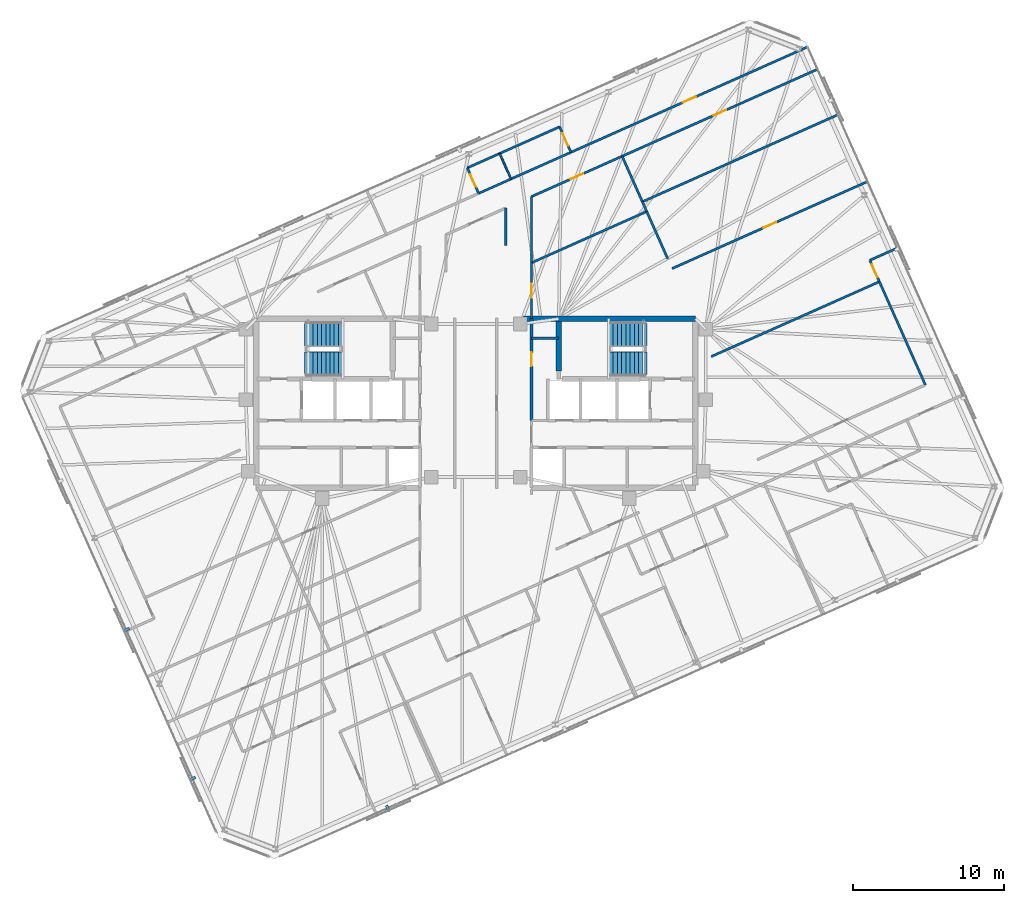
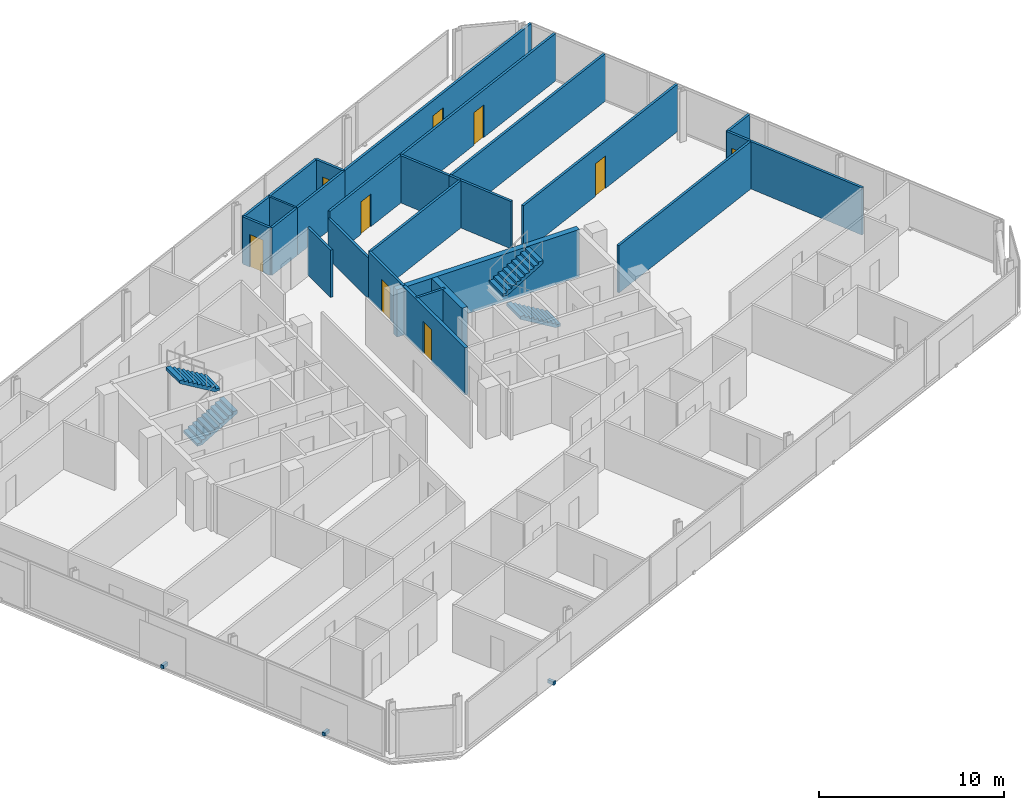
# One storey, part 17 of 19: 27 walls, 9 doors, 4 stair flights, 3 discrete accessories, 9 openings, 2 elements without a shape of their own.
"""IFC4 building model written with IfcOpenShell, lengths in metres."""

from ifc_helpers import new_model, si_unit, direction, frame, frame_2d, origin, origin_2d, place, context, subcontext, project, spatial, polyline, rectangle, outline, extrude, material, layer, layer_set, type_object, element, fill, aggregate, save


model = new_model("IFC4")

# Units and contexts
model_context = context("Model", 3, precision=1e-05, world=origin(), true_north=direction((0.0, 1.0)))
body_context = subcontext(model_context, "Body", "Model", "MODEL_VIEW")
ifc_project = project(units=[si_unit("LENGTHUNIT", "METRE"), si_unit("AREAUNIT", "SQUARE_METRE"), si_unit("VOLUMEUNIT", "CUBIC_METRE"), si_unit("PLANEANGLEUNIT", "RADIAN"), si_unit("MASSUNIT", "GRAM", prefix="KILO")], contexts=[model_context])

# Site, building, storey
site_placement = place(None, origin())
site = spatial("IfcSite", under=ifc_project, at=site_placement, CompositionType="ELEMENT")
building_placement = place(site_placement, origin())
building = spatial("IfcBuilding", under=site, at=building_placement, Name="Menara Jurai Vektor", CompositionType="ELEMENT")
storey_placement = place(building_placement, frame((0.0, 0.0, 295.300048828125)))
storey = spatial("IfcBuildingStorey", under=building, at=storey_placement, Name="L79", CompositionType="ELEMENT", Elevation=295.300048828125)

# Wall
ifc_material_1 = material(Name="Gypsum Fireboard Partition", Category="gypsum")
ifc_layer_1 = layer(ifc_material_1, 0.14990234375)
ifc_layer_set_1 = layer_set([ifc_layer_1], Name="Gypsum Fireboard Partition")
wall_type_1 = type_object("IfcWallType", Name="INT-WALL-CORR-150", PredefinedType="PARTITIONING", material=ifc_layer_set_1)
wall_1_placement = place(storey_placement, frame((3.699951171875, 4.300048828125, 0.0), z_axis=(0.0, 0.0, 1.0), x_axis=(1.0, 0.0, 0.0)))
element("IfcWall", 1, at=wall_1_placement, inside=storey, type_object=wall_type_1, Name="Interior Wall IW-150 L79", PredefinedType="PARTITIONING", context=body_context, shape_type="SweptSolid", body=[
    extrude(rectangle(XDim=1.800048828125, YDim=0.14990234375, at=frame_2d((0.89990234375, 0.0))), origin(), (0.0, 0.0, 1.0), 3.125),
])

# Wall, opening, door
wall_2_placement = place(storey_placement, frame((6.3095703125, 16.63818359375, 0.0), z_axis=(0.0, 0.0, 1.0), x_axis=(0.913550659227, 0.406724959925, 0.0)))
wall_2 = element("IfcWall", 2, at=wall_2_placement, inside=storey, type_object=wall_type_1, Name="Interior Wall IW-150 L79", PredefinedType="PARTITIONING", context=body_context, shape_type="SweptSolid", body=[
    extrude(rectangle(XDim=17.184814453125, YDim=0.14990234375, at=frame_2d((8.59228515625, 0.0))), origin(), (0.0, 0.0, 1.0), 3.125),
])
opening_1_placement = place(wall_2_placement, frame((8.117431640625, 0.0, 0.0)))
opening_1 = element("IfcOpeningElement", 3, at=opening_1_placement, cuts=wall_2, Name="Opening D79-12", PredefinedType="OPENING", context=body_context, shape_type="SweptSolid", body=[
    extrude(rectangle(XDim=0.949951171875, YDim=2.14990234375, at=frame_2d((0.47509765625, 1.074951171875))), frame((0.0, 0.0849609375, 0.0), z_axis=(0.0, -1.0, 0.0), x_axis=(1.0, 0.0, 0.0)), (0.0, 0.0, 1.0), 0.169921875),
])
ifc_material_2 = material(Name="Solid Core Timber Fire Door", Category="wood")
door_type_1 = type_object("IfcDoorType", Name="DR-ENTRY-950", OperationType="NOTDEFINED", PredefinedType="DOOR", material=ifc_material_2)
door_1_placement = place(opening_1_placement, origin())
door_1 = element("IfcDoor", 4, at=door_1_placement, inside=storey, type_object=door_type_1, Name="Interior Door D79-12", OperationType="SINGLE_SWING_LEFT", OverallHeight=2.14990234375, OverallWidth=0.949951171875, PredefinedType="DOOR", context=body_context, shape_type="SweptSolid", body=[
    extrude(rectangle(XDim=0.949951171875, YDim=2.14990234375, at=frame_2d((0.47509765625, 1.074951171875))), frame((0.0, 0.02490234375, 0.0), z_axis=(0.0, -1.0, 0.0), x_axis=(1.0, 0.0, 0.0)), (0.0, 0.0, 1.0), 0.050048828125),
])
fill(opening_1, door_1)

# Walls
wall_3_placement = place(storey_placement, frame((0.188720703125, 13.912841796875, 0.0), z_axis=(0.0, 0.0, 1.0), x_axis=(0.913520021435, 0.406793768926, 0.0)))
element("IfcWall", 5, at=wall_3_placement, inside=storey, type_object=wall_type_1, Name="Interior Wall IW-150 L79", PredefinedType="PARTITIONING", context=body_context, shape_type="SweptSolid", body=[
    extrude(rectangle(XDim=2.35009765625, YDim=0.14990234375, at=frame_2d((1.175048828125, 0.0))), origin(), (0.0, 0.0, 1.0), 3.125),
])
wall_4_placement = place(storey_placement, frame((2.335693359375, 14.868896484375, 0.0), z_axis=(0.0, 0.0, 1.0), x_axis=(0.913545193015, 0.406737237438, 0.0)))
element("IfcWall", 6, at=wall_4_placement, inside=storey, type_object=wall_type_1, Name="Interior Wall IW-150 L79", PredefinedType="PARTITIONING", context=body_context, shape_type="SweptSolid", body=[
    extrude(rectangle(XDim=4.349853515625, YDim=0.14990234375, at=frame_2d((2.1748046875, 0.0))), origin(), (0.0, 0.0, 1.0), 3.125),
])

# Wall, opening, door
wall_5_placement = place(storey_placement, frame((3.7001953125, 5.6005859375, 0.0), z_axis=(0.0, 0.0, 1.0), x_axis=(0.0, 1.0, 0.0)))
wall_5 = element("IfcWall", 7, at=wall_5_placement, inside=storey, type_object=wall_type_1, Name="Interior Wall IW-150 L79", PredefinedType="PARTITIONING", context=body_context, shape_type="SweptSolid", body=[
    extrude(rectangle(XDim=3.712890625, YDim=0.14990234375, at=frame_2d((1.8564453125, 0.0))), origin(), (0.0, 0.0, 1.0), 3.125),
])
opening_2_placement = place(wall_5_placement, frame((1.396484375, 0.0, 0.0)))
opening_2 = element("IfcOpeningElement", 8, at=opening_2_placement, cuts=wall_5, Name="Opening D79-41", PredefinedType="OPENING", context=body_context, shape_type="SweptSolid", body=[
    extrude(rectangle(XDim=0.919921875, YDim=2.14990234375, at=frame_2d((0.4599609375, 1.074951171875))), frame((0.0, 0.0849609375, 0.0), z_axis=(0.0, -1.0, 0.0), x_axis=(1.0, 0.0, 0.0)), (0.0, 0.0, 1.0), 0.169921875),
])
door_2_placement = place(opening_2_placement, origin())
door_2 = element("IfcDoor", 9, at=door_2_placement, inside=storey, type_object=door_type_1, Name="Interior Door D79-41", OperationType="SINGLE_SWING_RIGHT", OverallHeight=2.14990234375, OverallWidth=0.919921875, PredefinedType="DOOR", context=body_context, shape_type="SweptSolid", body=[
    extrude(rectangle(XDim=0.919921875, YDim=2.14990234375, at=frame_2d((0.4599609375, 1.074951171875))), frame((0.0, 0.02490234375, 0.0), z_axis=(0.0, -1.0, 0.0), x_axis=(1.0, 0.0, 0.0)), (0.0, 0.0, 1.0), 0.050048828125),
])
fill(opening_2, door_2)

wall_6_placement = place(storey_placement, frame((3.69970703125, 13.702880859375, 0.0), z_axis=(0.0, 0.0, 1.0), x_axis=(0.913549363376, 0.406727870542, 0.0)))
wall_6 = element("IfcWall", 10, at=wall_6_placement, inside=storey, type_object=wall_type_1, Name="Interior Wall IW-150 L79", PredefinedType="PARTITIONING", context=body_context, shape_type="SweptSolid", body=[
    extrude(rectangle(XDim=6.571044921875, YDim=0.14990234375, at=frame_2d((3.28564453125, 0.0))), origin(), (0.0, 0.0, 1.0), 3.125),
])
opening_3_placement = place(wall_6_placement, frame((2.825439453125, 0.0, 0.0)))
opening_3 = element("IfcOpeningElement", 11, at=opening_3_placement, cuts=wall_6, Name="Opening D79-42", PredefinedType="OPENING", context=body_context, shape_type="SweptSolid", body=[
    extrude(rectangle(XDim=0.919921875, YDim=2.14990234375, at=frame_2d((0.4599609375, 1.074951171875))), frame((0.0, 0.0849609375, 0.0), z_axis=(0.0, -1.0, 0.0), x_axis=(1.0, 0.0, 0.0)), (0.0, 0.0, 1.0), 0.169921875),
])
door_3_placement = place(opening_3_placement, origin())
door_3 = element("IfcDoor", 12, at=door_3_placement, inside=storey, type_object=door_type_1, Name="Interior Door D79-42", OperationType="SINGLE_SWING_LEFT", OverallHeight=2.14990234375, OverallWidth=0.919921875, PredefinedType="DOOR", context=body_context, shape_type="SweptSolid", body=[
    extrude(rectangle(XDim=0.919921875, YDim=2.14990234375, at=frame_2d((0.4599609375, 1.074951171875))), frame((0.0, 0.02490234375, 0.0), z_axis=(0.0, -1.0, 0.0), x_axis=(1.0, 0.0, 0.0)), (0.0, 0.0, 1.0), 0.050048828125),
])
fill(opening_3, door_3)

# Walls
wall_7_placement = place(storey_placement, frame((1.97998046875, 10.4599609375, 0.0), z_axis=(0.0, 0.0, 1.0), x_axis=(0.000197102588, 0.999999980575, 0.0)))
element("IfcWall", 13, at=wall_7_placement, inside=storey, type_object=wall_type_1, Name="Interior Wall IW-150 L79", PredefinedType="PARTITIONING", context=body_context, shape_type="SweptSolid", body=[
    extrude(rectangle(XDim=2.477294921875, YDim=0.14990234375, at=frame_2d((1.23876953125, 0.0))), origin(), (0.0, 0.0, 1.0), 3.125),
])
wall_8_placement = place(storey_placement, frame((29.808837890625, 1.2158203125, 0.0), z_axis=(0.0, 0.0, 1.0), x_axis=(-0.406719136744, 0.913553251763, 0.0)))
element("IfcWall", 14, at=wall_8_placement, inside=storey, type_object=wall_type_1, Name="Interior Wall IW-150 L79", PredefinedType="PARTITIONING", context=body_context, shape_type="SweptSolid", body=[
    extrude(rectangle(XDim=7.489013671875, YDim=0.14990234375, at=frame_2d((3.74462890625, 0.0))), origin(), (0.0, 0.0, 1.0), 3.125),
])

# Wall, opening, door
wall_9_placement = place(storey_placement, frame((26.762939453125, 8.057373046875, 0.0), z_axis=(0.0, 0.0, 1.0), x_axis=(-0.406851688687, 0.913494227356, 0.0)))
wall_9 = element("IfcWall", 15, at=wall_9_placement, inside=storey, type_object=wall_type_1, Name="Interior Wall IW-150 L79", PredefinedType="PARTITIONING", context=body_context, shape_type="SweptSolid", body=[
    extrude(rectangle(XDim=1.555908203125, YDim=0.14990234375, at=frame_2d((0.77783203125, 0.0))), origin(), (0.0, 0.0, 1.0), 3.125),
])
opening_4_placement = place(wall_9_placement, frame((0.318115234375, 0.0, 0.0)))
opening_4 = element("IfcOpeningElement", 16, at=opening_4_placement, cuts=wall_9, Name="Opening D79-48", PredefinedType="OPENING", context=body_context, shape_type="SweptSolid", body=[
    extrude(rectangle(XDim=0.919921875, YDim=2.14990234375, at=frame_2d((0.4599609375, 1.074951171875))), frame((0.0, 0.0849609375, 0.0), z_axis=(0.0, -1.0, 0.0), x_axis=(1.0, 0.0, 0.0)), (0.0, 0.0, 1.0), 0.169921875),
])
door_4_placement = place(opening_4_placement, origin())
door_4 = element("IfcDoor", 17, at=door_4_placement, inside=storey, type_object=door_type_1, Name="Interior Door D79-48", OperationType="SINGLE_SWING_LEFT", OverallHeight=2.14990234375, OverallWidth=0.919921875, PredefinedType="DOOR", context=body_context, shape_type="SweptSolid", body=[
    extrude(rectangle(XDim=0.919921875, YDim=2.14990234375, at=frame_2d((0.4599609375, 1.074951171875))), frame((0.0, 0.02490234375, 0.0), z_axis=(0.0, -1.0, 0.0), x_axis=(1.0, 0.0, 0.0)), (0.0, 0.0, 1.0), 0.050048828125),
])
fill(opening_4, door_4)

# Wall
wall_10_placement = place(storey_placement, frame((26.1298828125, 9.478759765625, 0.0), z_axis=(0.0, 0.0, 1.0), x_axis=(0.913573626813, 0.406673368186, 0.0)))
element("IfcWall", 18, at=wall_10_placement, inside=storey, type_object=wall_type_1, Name="Interior Wall IW-150 L79", PredefinedType="PARTITIONING", context=body_context, shape_type="SweptSolid", body=[
    extrude(rectangle(XDim=1.990234375, YDim=0.14990234375, at=frame_2d((0.9951171875, 0.0))), origin(), (0.0, 0.0, 1.0), 3.125),
])

# Wall, opening, door
wall_11_placement = place(storey_placement, frame((9.70263671875, 16.37548828125, 0.0), z_axis=(0.0, 0.0, 1.0), x_axis=(0.913544622417, 0.406738519018, 0.0)))
wall_11 = element("IfcWall", 19, at=wall_11_placement, inside=storey, type_object=wall_type_1, Name="Interior Wall IW-150 L79", PredefinedType="PARTITIONING", context=body_context, shape_type="SweptSolid", body=[
    extrude(rectangle(XDim=14.192138671875, YDim=0.14990234375, at=frame_2d((7.09619140625, 0.0))), origin(), (0.0, 0.0, 1.0), 3.125),
])
opening_5_placement = place(wall_11_placement, frame((6.635986328125, 0.0, 0.0)))
opening_5 = element("IfcOpeningElement", 20, at=opening_5_placement, cuts=wall_11, Name="Opening D79-50", PredefinedType="OPENING", context=body_context, shape_type="SweptSolid", body=[
    extrude(rectangle(XDim=0.919921875, YDim=2.14990234375, at=frame_2d((0.4599609375, 1.074951171875))), frame((0.0, 0.0849609375, 0.0), z_axis=(0.0, -1.0, 0.0), x_axis=(1.0, 0.0, 0.0)), (0.0, 0.0, 1.0), 0.169921875),
])
door_5_placement = place(opening_5_placement, origin())
door_5 = element("IfcDoor", 21, at=door_5_placement, inside=storey, type_object=door_type_1, Name="Interior Door D79-50", OperationType="SINGLE_SWING_LEFT", OverallHeight=2.14990234375, OverallWidth=0.919921875, PredefinedType="DOOR", context=body_context, shape_type="SweptSolid", body=[
    extrude(rectangle(XDim=0.919921875, YDim=2.14990234375, at=frame_2d((0.4599609375, 1.074951171875))), frame((0.0, 0.02490234375, 0.0), z_axis=(0.0, -1.0, 0.0), x_axis=(1.0, 0.0, 0.0)), (0.0, 0.0, 1.0), 0.050048828125),
])
fill(opening_5, door_5)

wall_12_placement = place(storey_placement, frame((0.188720703125, 13.912841796875, 0.0), z_axis=(0.0, 0.0, 1.0), x_axis=(-0.406701600856, 0.913561058639, 0.0)))
wall_12 = element("IfcWall", 22, at=wall_12_placement, inside=storey, type_object=wall_type_1, Name="Interior Wall IW-150 L79", PredefinedType="PARTITIONING", context=body_context, shape_type="SweptSolid", body=[
    extrude(rectangle(XDim=1.85009765625, YDim=0.14990234375, at=frame_2d((0.925048828125, 0.0))), origin(), (0.0, 0.0, 1.0), 3.125),
])
opening_6_placement = place(wall_12_placement, frame((0.485107421875, 0.0, 0.0)))
opening_6 = element("IfcOpeningElement", 23, at=opening_6_placement, cuts=wall_12, Name="Opening D79-13", PredefinedType="OPENING", context=body_context, shape_type="SweptSolid", body=[
    extrude(rectangle(XDim=0.8798828125, YDim=2.14990234375, at=frame_2d((0.43994140625, 1.074951171875))), frame((0.0, 0.0849609375, 0.0), z_axis=(0.0, -1.0, 0.0), x_axis=(1.0, 0.0, 0.0)), (0.0, 0.0, 1.0), 0.169921875),
])
ifc_material_3 = material(Name="Moisture-Resistant Timber Door", Category="wood")
door_type_2 = type_object("IfcDoorType", Name="DR-BATH-880", OperationType="NOTDEFINED", PredefinedType="DOOR", material=ifc_material_3)
door_6_placement = place(opening_6_placement, origin())
door_6 = element("IfcDoor", 24, at=door_6_placement, inside=storey, type_object=door_type_2, Name="Interior Door D79-13", OperationType="SINGLE_SWING_RIGHT", OverallHeight=2.14990234375, OverallWidth=0.8798828125, PredefinedType="DOOR", context=body_context, shape_type="SweptSolid", body=[
    extrude(rectangle(XDim=0.8798828125, YDim=2.14990234375, at=frame_2d((0.43994140625, 1.074951171875))), frame((0.0, 0.02490234375, 0.0), z_axis=(0.0, -1.0, 0.0), x_axis=(1.0, 0.0, 0.0)), (0.0, 0.0, 1.0), 0.050048828125),
])
fill(opening_6, door_6)

# Walls
wall_13_placement = place(storey_placement, frame((-0.563720703125, 15.60302734375, 0.0), z_axis=(0.0, 0.0, 1.0), x_axis=(0.913541436194, 0.406745675276, 0.0)))
element("IfcWall", 25, at=wall_13_placement, inside=storey, type_object=wall_type_1, Name="Interior Wall IW-150 L79", PredefinedType="PARTITIONING", context=body_context, shape_type="SweptSolid", body=[
    extrude(rectangle(XDim=2.349853515625, YDim=0.14990234375, at=frame_2d((1.1748046875, 0.0))), origin(), (0.0, 0.0, 1.0), 3.125),
])
wall_14_placement = place(storey_placement, frame((1.5830078125, 16.558837890625, 0.0), z_axis=(0.0, 0.0, 1.0), x_axis=(0.913554477336, 0.406716383908, 0.0)))
element("IfcWall", 26, at=wall_14_placement, inside=storey, type_object=wall_type_1, Name="Interior Wall IW-150 L79", PredefinedType="PARTITIONING", context=body_context, shape_type="SweptSolid", body=[
    extrude(rectangle(XDim=4.35009765625, YDim=0.14990234375, at=frame_2d((2.175048828125, 0.0))), origin(), (0.0, 0.0, 1.0), 3.125),
])

# Wall, opening, door
wall_15_placement = place(storey_placement, frame((6.3095703125, 16.63818359375, 0.0), z_axis=(0.0, 0.0, 1.0), x_axis=(-0.406750635596, 0.913539227643, 0.0)))
wall_15 = element("IfcWall", 27, at=wall_15_placement, inside=storey, type_object=wall_type_1, Name="Interior Wall IW-150 L79", PredefinedType="PARTITIONING", context=body_context, shape_type="SweptSolid", body=[
    extrude(rectangle(XDim=1.849853515625, YDim=0.14990234375, at=frame_2d((0.9248046875, 0.0))), origin(), (0.0, 0.0, 1.0), 3.125),
])
opening_7_placement = place(wall_15_placement, frame((0.47509765625, 0.0, 0.0)))
opening_7 = element("IfcOpeningElement", 28, at=opening_7_placement, cuts=wall_15, Name="Opening D79-14", PredefinedType="OPENING", context=body_context, shape_type="SweptSolid", body=[
    extrude(rectangle(XDim=0.89990234375, YDim=2.14990234375, at=frame_2d((0.449951171875, 1.074951171875))), frame((0.0, 0.0849609375, 0.0), z_axis=(0.0, -1.0, 0.0), x_axis=(1.0, 0.0, 0.0)), (0.0, 0.0, 1.0), 0.169921875),
])
ifc_material_4 = material(Name="Acoustic Timber Interior Door", Category="wood")
door_type_3 = type_object("IfcDoorType", Name="DR-ROOM-900", OperationType="NOTDEFINED", PredefinedType="DOOR", material=ifc_material_4)
door_7_placement = place(opening_7_placement, origin())
door_7 = element("IfcDoor", 29, at=door_7_placement, inside=storey, type_object=door_type_3, Name="Interior Door D79-14", OperationType="SINGLE_SWING_LEFT", OverallHeight=2.14990234375, OverallWidth=0.89990234375, PredefinedType="DOOR", context=body_context, shape_type="SweptSolid", body=[
    extrude(rectangle(XDim=0.89990234375, YDim=2.14990234375, at=frame_2d((0.449951171875, 1.074951171875))), frame((0.0, 0.02490234375, 0.0), z_axis=(0.0, -1.0, 0.0), x_axis=(1.0, 0.0, 0.0)), (0.0, 0.0, 1.0), 0.050048828125),
])
fill(opening_7, door_7)

# Walls
wall_16_placement = place(storey_placement, frame((3.7001953125, 9.3134765625, 0.0), z_axis=(0.0, 0.0, 1.0), x_axis=(0.913545080962, 0.406737489112, 0.0)))
element("IfcWall", 30, at=wall_16_placement, inside=storey, type_object=wall_type_1, Name="Interior Wall IW-150 L79", PredefinedType="PARTITIONING", context=body_context, shape_type="SweptSolid", body=[
    extrude(rectangle(XDim=8.35595703125, YDim=0.14990234375, at=frame_2d((4.177978515625, 0.0))), origin(), (0.0, 0.0, 1.0), 3.125),
])
wall_17_placement = place(storey_placement, frame((12.72509765625, 9.5869140625, 0.0), z_axis=(0.0, 0.0, 1.0), x_axis=(-0.406714462948, 0.913555332549, 0.0)))
element("IfcWall", 31, at=wall_17_placement, inside=storey, type_object=wall_type_1, Name="Interior Wall IW-150 L79", PredefinedType="PARTITIONING", context=body_context, shape_type="SweptSolid", body=[
    extrude(rectangle(XDim=3.4208984375, YDim=0.14990234375, at=frame_2d((1.71044921875, 0.0))), origin(), (0.0, 0.0, 1.0), 3.125),
])
wall_18_placement = place(storey_placement, frame((11.333740234375, 12.712158203125, 0.0), z_axis=(0.0, 0.0, 1.0), x_axis=(-0.40694029237, 0.913454759934, 0.0)))
element("IfcWall", 32, at=wall_18_placement, inside=storey, type_object=wall_type_1, Name="Interior Wall IW-150 L79", PredefinedType="PARTITIONING", context=body_context, shape_type="SweptSolid", body=[
    extrude(rectangle(XDim=0.7060546875, YDim=0.14990234375, at=frame_2d((0.35302734375, 0.0))), origin(), (0.0, 0.0, 1.0), 3.125),
])
wall_19_placement = place(storey_placement, frame((11.04638671875, 13.357177734375, 0.0), z_axis=(0.0, 0.0, 1.0), x_axis=(-0.406714303965, 0.913555403328, 0.0)))
element("IfcWall", 33, at=wall_19_placement, inside=storey, type_object=wall_type_1, Name="Interior Wall IW-150 L79", PredefinedType="PARTITIONING", context=body_context, shape_type="SweptSolid", body=[
    extrude(rectangle(XDim=3.303955078125, YDim=0.14990234375, at=frame_2d((1.65185546875, 0.0))), origin(), (0.0, 0.0, 1.0), 3.125),
])
wall_20_placement = place(storey_placement, frame((15.61572265625, 3.094482421875, 0.0), z_axis=(0.0, 0.0, 1.0), x_axis=(0.913550635989, 0.40672501212, 0.0)))
element("IfcWall", 34, at=wall_20_placement, inside=storey, type_object=wall_type_1, Name="Interior Wall IW-150 L79", PredefinedType="PARTITIONING", context=body_context, shape_type="SweptSolid", body=[
    extrude(rectangle(XDim=12.2021484375, YDim=0.14990234375, at=frame_2d((6.10107421875, 0.0))), origin(), (0.0, 0.0, 1.0), 3.125),
])

# Wall, opening, door
wall_21_placement = place(storey_placement, frame((13.017578125, 8.93017578125, 0.0), z_axis=(0.0, 0.0, 1.0), x_axis=(0.913551014388, 0.406724162191, 0.0)))
wall_21 = element("IfcWall", 35, at=wall_21_placement, inside=storey, type_object=wall_type_1, Name="Interior Wall IW-150 L79", PredefinedType="PARTITIONING", context=body_context, shape_type="SweptSolid", body=[
    extrude(rectangle(XDim=14.19189453125, YDim=0.14990234375, at=frame_2d((7.095947265625, 0.0))), origin(), (0.0, 0.0, 1.0), 3.125),
])
opening_8_placement = place(wall_21_placement, frame((6.635986328125, 0.0, 0.0)))
opening_8 = element("IfcOpeningElement", 36, at=opening_8_placement, cuts=wall_21, Name="Opening D79-49", PredefinedType="OPENING", context=body_context, shape_type="SweptSolid", body=[
    extrude(rectangle(XDim=0.919921875, YDim=2.14990234375, at=frame_2d((0.4599609375, 1.074951171875))), frame((0.0, 0.0849609375, 0.0), z_axis=(0.0, -1.0, 0.0), x_axis=(1.0, 0.0, 0.0)), (0.0, 0.0, 1.0), 0.169921875),
])
door_8_placement = place(opening_8_placement, origin())
door_8 = element("IfcDoor", 37, at=door_8_placement, inside=storey, type_object=door_type_1, Name="Interior Door D79-49", OperationType="SINGLE_SWING_RIGHT", OverallHeight=2.14990234375, OverallWidth=0.919921875, PredefinedType="DOOR", context=body_context, shape_type="SweptSolid", body=[
    extrude(rectangle(XDim=0.919921875, YDim=2.14990234375, at=frame_2d((0.4599609375, 1.074951171875))), frame((0.0, 0.02490234375, 0.0), z_axis=(0.0, -1.0, 0.0), x_axis=(1.0, 0.0, 0.0)), (0.0, 0.0, 1.0), 0.050048828125),
])
fill(opening_8, door_8)

# Walls
wall_22_placement = place(storey_placement, frame((11.04638671875, 13.357177734375, 0.0), z_axis=(0.0, 0.0, 1.0), x_axis=(0.913553860075, 0.406717770379, 0.0)))
element("IfcWall", 38, at=wall_22_placement, inside=storey, type_object=wall_type_1, Name="Interior Wall IW-150 L79", PredefinedType="PARTITIONING", context=body_context, shape_type="SweptSolid", body=[
    extrude(rectangle(XDim=14.192138671875, YDim=0.14990234375, at=frame_2d((7.09619140625, 0.0))), origin(), (0.0, 0.0, 1.0), 3.125),
])
ifc_layer_2 = layer(ifc_material_1, 0.14990234375)
ifc_layer_set_2 = layer_set([ifc_layer_2], Name="Gypsum Fireboard Partition")
wall_type_2 = type_object("IfcWallType", Name="INT-WALL-CORR-150-H1", PredefinedType="PARTITIONING", material=ifc_layer_set_2)
wall_23_placement = place(storey_placement, frame((3.7001953125, 9.3134765625, 0.0), z_axis=(0.0, 0.0, 1.0), x_axis=(-0.000111240891, 0.999999993813, 0.0)))
element("IfcWall", 39, at=wall_23_placement, inside=storey, type_object=wall_type_2, Name="Interior Wall IW-150 L79", PredefinedType="PARTITIONING", context=body_context, shape_type="SweptSolid", body=[
    extrude(rectangle(XDim=4.389404296875, YDim=0.14990234375, at=frame_2d((2.19482421875, 0.0))), origin(), (0.0, 0.0, 1.0), 2.675048828125),
])
ifc_material_5 = material(Name="Gypsum Acoustic Stud Partition", Category="gypsum")
ifc_layer_3 = layer(ifc_material_5, 0.1201171875)
ifc_layer_set_3 = layer_set([ifc_layer_3], Name="Gypsum Acoustic Stud Partition")
wall_type_3 = type_object("IfcWallType", Name="INT-WALL-PART-120", PredefinedType="PARTITIONING", material=ifc_layer_set_3)
wall_24_placement = place(storey_placement, frame((2.335693359375, 14.868896484375, 0.0), z_axis=(0.0, 0.0, 1.0), x_axis=(-0.406860767979, 0.913490183571, 0.0)))
element("IfcWall", 40, at=wall_24_placement, inside=storey, type_object=wall_type_3, Name="Interior Wall IW-120 L79", PredefinedType="PARTITIONING", context=body_context, shape_type="SweptSolid", body=[
    extrude(rectangle(XDim=1.85009765625, YDim=0.1201171875, at=frame_2d((0.925048828125, 0.0))), origin(), (0.0, 0.0, 1.0), 3.125),
])

# Wall, opening, door
ifc_material_6 = material(Name="Concrete C40/50", Category="concrete")
ifc_layer_4 = layer(ifc_material_6, 0.199951171875)
ifc_layer_set_4 = layer_set([ifc_layer_4], Name="Concrete C40/50")
wall_type_4 = type_object("IfcWallType", Name="INT-WALL-SHAFT-200", PredefinedType="STANDARD", material=ifc_layer_set_4)
wall_25_placement = place(storey_placement, frame((3.699951171875, -1.14990234375, 0.0), z_axis=(0.0, 0.0, 1.0), x_axis=(0.0, 1.0, 0.0)))
wall_25 = element("IfcWall", 41, at=wall_25_placement, inside=storey, type_object=wall_type_4, Name="Interior Wall IW-200 L79", PredefinedType="STANDARD", context=body_context, shape_type="SweptSolid", body=[
    extrude(rectangle(XDim=6.75, YDim=0.199951171875, at=frame_2d((3.375, 0.0))), origin(), (0.0, 0.0, 1.0), 3.125),
])
opening_9_placement = place(wall_25_placement, frame((3.60009765625, 0.0, 0.0)))
opening_9 = element("IfcOpeningElement", 42, at=opening_9_placement, cuts=wall_25, Name="Opening D79-07", PredefinedType="OPENING", context=body_context, shape_type="SweptSolid", body=[
    extrude(rectangle(XDim=0.919921875, YDim=2.14990234375, at=frame_2d((0.4599609375, 1.074951171875))), frame((0.0, 0.10986328125, 0.0), z_axis=(0.0, -1.0, 0.0), x_axis=(1.0, 0.0, 0.0)), (0.0, 0.0, 1.0), 0.219970703125),
])
door_9_placement = place(opening_9_placement, origin())
door_9 = element("IfcDoor", 43, at=door_9_placement, inside=storey, type_object=door_type_1, Name="Interior Door D79-07", OperationType="SINGLE_SWING_RIGHT", OverallHeight=2.14990234375, OverallWidth=0.919921875, PredefinedType="DOOR", context=body_context, shape_type="SweptSolid", body=[
    extrude(rectangle(XDim=0.919921875, YDim=2.14990234375, at=frame_2d((0.4599609375, 1.074951171875))), frame((0.0, 0.02490234375, 0.0), z_axis=(0.0, -1.0, 0.0), x_axis=(1.0, 0.0, 0.0)), (0.0, 0.0, 1.0), 0.050048828125),
])
fill(opening_9, door_9)

# Walls
ifc_material_7 = material(Name="Concrete C50/60", Category="concrete")
ifc_layer_5 = layer(ifc_material_7, 0.35009765625)
ifc_layer_set_5 = layer_set([ifc_layer_5], Name="Concrete C50/60")
wall_type_5 = type_object("IfcWallType", Name="STR-WALL-CORE350", PredefinedType="SHEAR", material=ifc_layer_set_5)
wall_26_placement = place(storey_placement, frame((3.14990234375, 5.60009765625, 0.0), z_axis=(0.0, 0.0, 1.0), x_axis=(1.0, 0.0, 0.0)))
element("IfcWall", 44, at=wall_26_placement, inside=storey, type_object=wall_type_5, Name="Core Shear Wall CW-E-N L79", PredefinedType="SHEAR", context=body_context, shape_type="SweptSolid", body=[
    extrude(rectangle(XDim=11.41015625, YDim=0.35009765625, at=frame_2d((5.705078125, 0.0))), origin(), (0.0, 0.0, 1.0), 3.125),
])
wall_27_placement = place(storey_placement, frame((5.5, 2.14990234375, 0.0), z_axis=(0.0, 0.0, 1.0), x_axis=(0.0, 1.0, 0.0)))
element("IfcWall", 45, at=wall_27_placement, inside=storey, type_object=wall_type_5, Name="Core Shear Wall CW-E-ST L79", PredefinedType="SHEAR", context=body_context, shape_type="SweptSolid", body=[
    extrude(rectangle(XDim=3.275146484375, YDim=0.35009765625, at=frame_2d((1.6376953125, 0.0))), origin(), (0.0, 0.0, 1.0), 3.125),
])

# Stair, stair flights
stair_type = type_object("IfcStairType", Name="STAIR-DOGLEG-1500", PredefinedType="HALF_TURN_STAIR", material=ifc_material_6)
stair_1_placement = place(storey_placement, origin())
stair_1 = element("IfcStair", 46, at=stair_1_placement, inside=storey, type_object=stair_type, Name="Protected Exit Stair ST1 L79", PredefinedType="HALF_TURN_STAIR")
stair_flight_type = type_object("IfcStairFlightType", Name="STAIR-FLIGHT-1500", PredefinedType="STRAIGHT", material=ifc_material_6)
stair_flight_1_placement = place(storey_placement, frame((-11.35009765625, 2.64990234375, 0.0), z_axis=(0.0, 0.0, 1.0), x_axis=(1.0, 0.0, 0.0)))
stair_flight_1 = element("IfcStairFlight", 47, at=stair_flight_1_placement, type_object=stair_flight_type, Name="ST1 flight 1", NumberOfRisers=10, NumberOfTreads=9, PredefinedType="STRAIGHT", RiserHeight=0.1675, TreadLength=0.28, context=body_context, shape_type="SweptSolid", body=[
    extrude(outline(polyline([(0.0, 0.0), (0.0, 0.16748046875), (0.280029296875, 0.16748046875), (0.280029296875, 0.3349609375), (0.56005859375, 0.3349609375), (0.56005859375, 0.50244140625), (0.840087890625, 0.50244140625), (0.840087890625, 0.669921875), (1.1201171875, 0.669921875), (1.1201171875, 0.83740234375), (1.39990234375, 0.83740234375), (1.39990234375, 1.0048828125), (1.679931640625, 1.0048828125), (1.679931640625, 1.172607421875), (1.9599609375, 1.172607421875), (1.9599609375, 1.340087890625), (2.239990234375, 1.340087890625), (2.239990234375, 1.507568359375), (2.52001953125, 1.507568359375), (2.52001953125, 1.675048828125), (2.52001953125, 1.321044921875), (0.3115234375, 0.0), (0.0, 0.0)])), frame((0.0, 0.75, 0.0), z_axis=(0.0, -1.0, 0.0), x_axis=(1.0, 0.0, 0.0)), (0.0, 0.0, 1.0), 1.5),
])
stair_flight_2_placement = place(storey_placement, frame((-8.830078125, 4.550048828125, 1.675048828125), z_axis=(0.0, 0.0, 1.0), x_axis=(-1.0, 0.0, 0.0)))
stair_flight_2 = element("IfcStairFlight", 48, at=stair_flight_2_placement, type_object=stair_flight_type, Name="ST1 flight 2", NumberOfRisers=10, NumberOfTreads=9, PredefinedType="STRAIGHT", RiserHeight=0.1675, TreadLength=0.28, context=body_context, shape_type="SweptSolid", body=[
    extrude(outline(polyline([(0.0, 0.0), (0.0, 0.16748046875), (0.280029296875, 0.16748046875), (0.280029296875, 0.3349609375), (0.56005859375, 0.3349609375), (0.56005859375, 0.50244140625), (0.840087890625, 0.50244140625), (0.840087890625, 0.669921875), (1.1201171875, 0.669921875), (1.1201171875, 0.83740234375), (1.39990234375, 0.83740234375), (1.39990234375, 1.0048828125), (1.679931640625, 1.0048828125), (1.679931640625, 1.172607421875), (1.9599609375, 1.172607421875), (1.9599609375, 1.340087890625), (2.239990234375, 1.340087890625), (2.239990234375, 1.507568359375), (2.52001953125, 1.507568359375), (2.52001953125, 1.675048828125), (2.52001953125, 1.321044921875), (0.3115234375, 0.0), (0.0, 0.0)])), frame((0.0, 0.75, 0.0), z_axis=(0.0, -1.0, 0.0), x_axis=(1.0, 0.0, 0.0)), (0.0, 0.0, 1.0), 1.5),
])
aggregate(stair_1, [stair_flight_1, stair_flight_2])

stair_2_placement = place(storey_placement, origin())
stair_2 = element("IfcStair", 49, at=stair_2_placement, inside=storey, type_object=stair_type, Name="Protected Exit Stair ST2 L79", PredefinedType="HALF_TURN_STAIR")
stair_flight_3_placement = place(storey_placement, frame((11.35009765625, 2.64990234375, 0.0), z_axis=(0.0, 0.0, 1.0), x_axis=(-1.0, 0.0, 0.0)))
stair_flight_3 = element("IfcStairFlight", 50, at=stair_flight_3_placement, type_object=stair_flight_type, Name="ST2 flight 1", NumberOfRisers=10, NumberOfTreads=9, PredefinedType="STRAIGHT", RiserHeight=0.1675, TreadLength=0.28, context=body_context, shape_type="SweptSolid", body=[
    extrude(outline(polyline([(0.0, 0.0), (0.0, 0.16748046875), (0.280029296875, 0.16748046875), (0.280029296875, 0.3349609375), (0.56005859375, 0.3349609375), (0.56005859375, 0.50244140625), (0.840087890625, 0.50244140625), (0.840087890625, 0.669921875), (1.1201171875, 0.669921875), (1.1201171875, 0.83740234375), (1.39990234375, 0.83740234375), (1.39990234375, 1.0048828125), (1.679931640625, 1.0048828125), (1.679931640625, 1.172607421875), (1.9599609375, 1.172607421875), (1.9599609375, 1.340087890625), (2.239990234375, 1.340087890625), (2.239990234375, 1.507568359375), (2.52001953125, 1.507568359375), (2.52001953125, 1.675048828125), (2.52001953125, 1.321044921875), (0.3115234375, 0.0), (0.0, 0.0)])), frame((0.0, 0.75, 0.0), z_axis=(0.0, -1.0, 0.0), x_axis=(1.0, 0.0, 0.0)), (0.0, 0.0, 1.0), 1.5),
])
stair_flight_4_placement = place(storey_placement, frame((8.830078125, 4.550048828125, 1.675048828125), z_axis=(0.0, 0.0, 1.0), x_axis=(1.0, 0.0, 0.0)))
stair_flight_4 = element("IfcStairFlight", 51, at=stair_flight_4_placement, type_object=stair_flight_type, Name="ST2 flight 2", NumberOfRisers=10, NumberOfTreads=9, PredefinedType="STRAIGHT", RiserHeight=0.1675, TreadLength=0.28, context=body_context, shape_type="SweptSolid", body=[
    extrude(outline(polyline([(0.0, 0.0), (0.0, 0.16748046875), (0.280029296875, 0.16748046875), (0.280029296875, 0.3349609375), (0.56005859375, 0.3349609375), (0.56005859375, 0.50244140625), (0.840087890625, 0.50244140625), (0.840087890625, 0.669921875), (1.1201171875, 0.669921875), (1.1201171875, 0.83740234375), (1.39990234375, 0.83740234375), (1.39990234375, 1.0048828125), (1.679931640625, 1.0048828125), (1.679931640625, 1.172607421875), (1.9599609375, 1.172607421875), (1.9599609375, 1.340087890625), (2.239990234375, 1.340087890625), (2.239990234375, 1.507568359375), (2.52001953125, 1.507568359375), (2.52001953125, 1.675048828125), (2.52001953125, 1.321044921875), (0.3115234375, 0.0), (0.0, 0.0)])), frame((0.0, 0.75, 0.0), z_axis=(0.0, -1.0, 0.0), x_axis=(1.0, 0.0, 0.0)), (0.0, 0.0, 1.0), 1.5),
])
aggregate(stair_2, [stair_flight_3, stair_flight_4])

# Discrete accessories
ifc_material_8 = material(Name="Steel S355", Category="steel")
discrete_accessory_type = type_object("IfcDiscreteAccessoryType", Name="ENV-ACC-BRACKET", PredefinedType="BRACKET", material=ifc_material_8)
for number, where, z_axis, x_axis, name in (
    (52, (-5.8330078125, -26.87451171875, -0.1298828125), (0.0, 0.0, 1.0), (0.913545457643, 0.406736643076, 0.0), "Solar Screen Stand-Off Bracket L79-S01"),
    (53, (-23.183837890625, -15.031982421875, -0.1298828125), (0.0, 0.0, 1.0), (0.406736643076, -0.913545457643, 0.0), "Solar Screen Stand-Off Bracket L79-S13"),
    (54, (-18.791259765625, -24.898193359375, -0.1298828125), (0.0, 0.0, 1.0), (0.406736643076, -0.913545457643, 0.0), "Solar Screen Stand-Off Bracket L79-S14"),
):
    element("IfcDiscreteAccessory", number, at=place(storey_placement, frame(where, z_axis=z_axis, x_axis=x_axis)), inside=storey, type_object=discrete_accessory_type, Name=name, PredefinedType="BRACKET", context=body_context, shape_type="SweptSolid", body=[
        extrude(rectangle(XDim=0.179931640625, YDim=0.43994140625, at=origin_2d()), origin(), (0.0, 0.0, 1.0), 0.219970703125),
    ])

save(model, "model.ifc")
